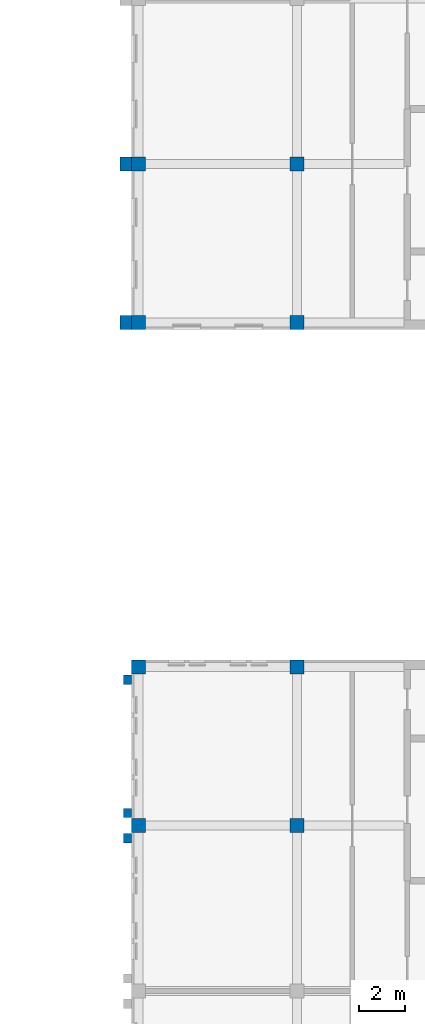
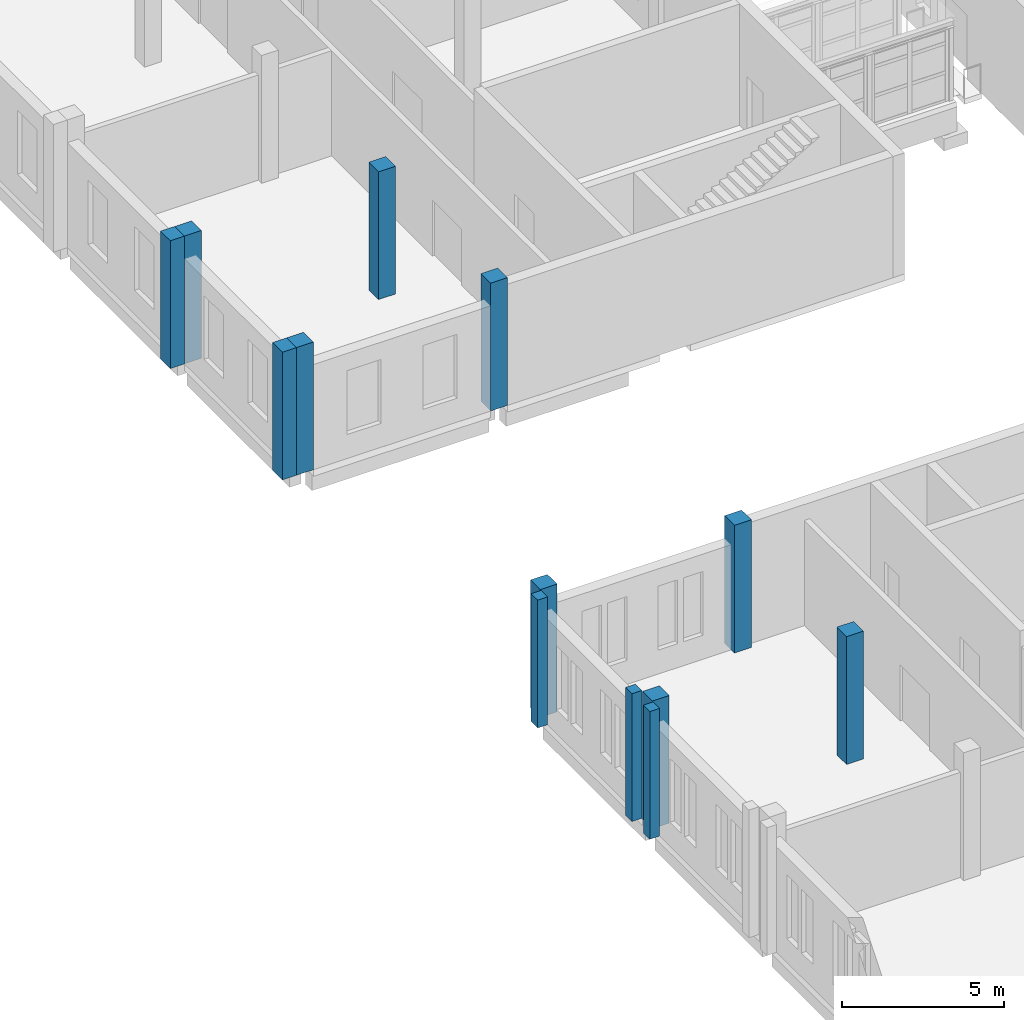
# One storey, part 11 of 131: 13 columns.
"""IFC4 building model written with IfcOpenShell, lengths in metres."""

from ifc_helpers import new_model, si_unit, direction, frame, origin, origin_2d, place, context, subcontext, project, spatial, rectangle, extrude, material, material_profile, profile_set, type_object, element, save


model = new_model("IFC4")

# Units and contexts
model_context = context("Model", 3, precision=1e-05, world=origin(), true_north=direction((0.0, 1.0)))
body_context = subcontext(model_context, "Body", "Model", "MODEL_VIEW")
ifc_project = project(units=[si_unit("LENGTHUNIT", "METRE"), si_unit("AREAUNIT", "SQUARE_METRE"), si_unit("VOLUMEUNIT", "CUBIC_METRE"), si_unit("PLANEANGLEUNIT", "RADIAN"), si_unit("MASSUNIT", "GRAM", prefix="KILO")], contexts=[model_context])

# Site, building, storey
site_placement = place(None, origin())
site = spatial("IfcSite", under=ifc_project, at=site_placement, CompositionType="ELEMENT")
building_placement = place(site_placement, origin())
building = spatial("IfcBuilding", under=site, at=building_placement, Name="Alderwick Market Hall", CompositionType="ELEMENT")
storey_placement = place(building_placement, frame((0.0, 0.0, 4.800048828125)))
storey = spatial("IfcBuildingStorey", under=building, at=storey_placement, Name="L00", CompositionType="ELEMENT", Elevation=4.800048828125)

# Columns
ifc_material_1 = material(Name="Concrete 5000 psi (f'c 35 MPa)", Category="concrete")
ifc_material_profile_1 = material_profile(ifc_material_1, rectangle(XDim=0.35009765625, YDim=0.39990234375, at=origin_2d()), Name="B Paired Pilaster 350x400")
ifc_profile_set_1 = profile_set([ifc_material_profile_1], Name="Concrete 5000 psi (f'c 35 MPa)")
column_type_1 = type_object("IfcColumnType", Name="B Paired Pilaster 350x400", PredefinedType="COLUMN", material=ifc_profile_set_1)
for number, where, z_axis, x_axis, name in (
    (1, (21.425048828125, 64.25, 0.0), (0.0, 0.0, 1.0), (1.0, 0.0, 0.0), "Pilaster W10"),
    (2, (21.425048828125, 65.35009765625, 0.0), (0.0, 0.0, 1.0), (1.0, 0.0, 0.0), "Pilaster W11"),
    (3, (21.425048828125, 71.14990234375, 0.0), (0.0, 0.0, 1.0), (1.0, 0.0, 0.0), "Pilaster W12"),
):
    element("IfcColumn", number, at=place(storey_placement, frame(where, z_axis=z_axis, x_axis=x_axis)), inside=storey, type_object=column_type_1, Name=name, PredefinedType="COLUMN", context=body_context, shape_type="SweptSolid", body=[
        extrude(rectangle(XDim=0.35009765625, YDim=0.39990234375, at=origin_2d()), origin(), (0.0, 0.0, 1.0), 4.800048828125),
    ])
ifc_material_profile_2 = material_profile(ifc_material_1, rectangle(XDim=0.5, YDim=0.60009765625, at=origin_2d()), Name="B Pilaster 500x600")
ifc_profile_set_2 = profile_set([ifc_material_profile_2], Name="Concrete 5000 psi (f'c 35 MPa)")
column_type_2 = type_object("IfcColumnType", Name="B Pilaster 500x600", PredefinedType="COLUMN", material=ifc_profile_set_2)
for number, where, z_axis, x_axis, name in (
    (4, (21.35009765625, 86.699951171875, 0.0), (0.0, 0.0, 1.0), (1.0, 0.0, 0.0), "Pilaster W01"),
    (5, (21.35009765625, 93.60009765625, 0.0), (0.0, 0.0, 1.0), (1.0, 0.0, 0.0), "Pilaster W02"),
):
    element("IfcColumn", number, at=place(storey_placement, frame(where, z_axis=z_axis, x_axis=x_axis)), inside=storey, type_object=column_type_2, Name=name, PredefinedType="COLUMN", context=body_context, shape_type="SweptSolid", body=[
        extrude(rectangle(XDim=0.5, YDim=0.60009765625, at=origin_2d()), origin(), (0.0, 0.0, 1.0), 4.800048828125),
    ])
ifc_material_2 = material(Name="Precast concrete 6000 psi (f'c 42 MPa)", Category="concrete")
ifc_material_profile_3 = material_profile(ifc_material_2, rectangle(XDim=0.60009765625, YDim=0.60009765625, at=origin_2d()), Name="B Precast Pier 600x600")
ifc_profile_set_3 = profile_set([ifc_material_profile_3], Name="Precast concrete 6000 psi (f'c 42 MPa)")
column_type_3 = type_object("IfcColumnType", Name="B Precast Pier 600x600", PredefinedType="COLUMN", material=ifc_profile_set_3)
for number, where, z_axis, x_axis, name in (
    (6, (21.89990234375, 93.60009765625, 0.0), (0.0, 0.0, 1.0), (1.0, 0.0, 0.0), "B.N.col.L00.003-360"),
    (7, (21.89990234375, 86.699951171875, 0.0), (0.0, 0.0, 1.0), (1.0, 0.0, 0.0), "B.N.col.L00.003-429"),
    (8, (28.800048828125, 86.699951171875, 0.0), (0.0, 0.0, 1.0), (1.0, 0.0, 0.0), "B.N.col.L00.072-429"),
    (9, (21.89990234375, 64.800048828125, 0.0), (0.0, 0.0, 1.0), (1.0, 0.0, 0.0), "B.S.col.L00.003-360"),
    (10, (21.89990234375, 71.699951171875, 0.0), (0.0, 0.0, 1.0), (1.0, 0.0, 0.0), "B.S.col.L00.003-429"),
    (11, (28.800048828125, 71.699951171875, 0.0), (0.0, 0.0, 1.0), (1.0, 0.0, 0.0), "B.S.col.L00.072-429"),
):
    element("IfcColumn", number, at=place(storey_placement, frame(where, z_axis=z_axis, x_axis=x_axis)), inside=storey, type_object=column_type_3, Name=name, PredefinedType="COLUMN", context=body_context, shape_type="SweptSolid", body=[
        extrude(rectangle(XDim=0.60009765625, YDim=0.60009765625, at=origin_2d()), origin(), (0.0, 0.0, 1.0), 4.800048828125),
    ])
ifc_material_profile_4 = material_profile(ifc_material_1, rectangle(XDim=0.60009765625, YDim=0.60009765625, at=origin_2d()), Name="B RC Column 600x600")
ifc_profile_set_4 = profile_set([ifc_material_profile_4], Name="Concrete 5000 psi (f'c 35 MPa)")
column_type_4 = type_object("IfcColumnType", Name="B RC Column 600x600", PredefinedType="COLUMN", material=ifc_profile_set_4)
for number, where, z_axis, x_axis, name in (
    (12, (28.800048828125, 93.60009765625, 0.0), (0.0, 0.0, 1.0), (1.0, 0.0, 0.0), "B.N.col.L00.072-360"),
    (13, (28.800048828125, 64.800048828125, 0.0), (0.0, 0.0, 1.0), (1.0, 0.0, 0.0), "B.S.col.L00.072-360"),
):
    element("IfcColumn", number, at=place(storey_placement, frame(where, z_axis=z_axis, x_axis=x_axis)), inside=storey, type_object=column_type_4, Name=name, PredefinedType="COLUMN", context=body_context, shape_type="SweptSolid", body=[
        extrude(rectangle(XDim=0.60009765625, YDim=0.60009765625, at=origin_2d()), origin(), (0.0, 0.0, 1.0), 4.800048828125),
    ])

save(model, "model.ifc")
